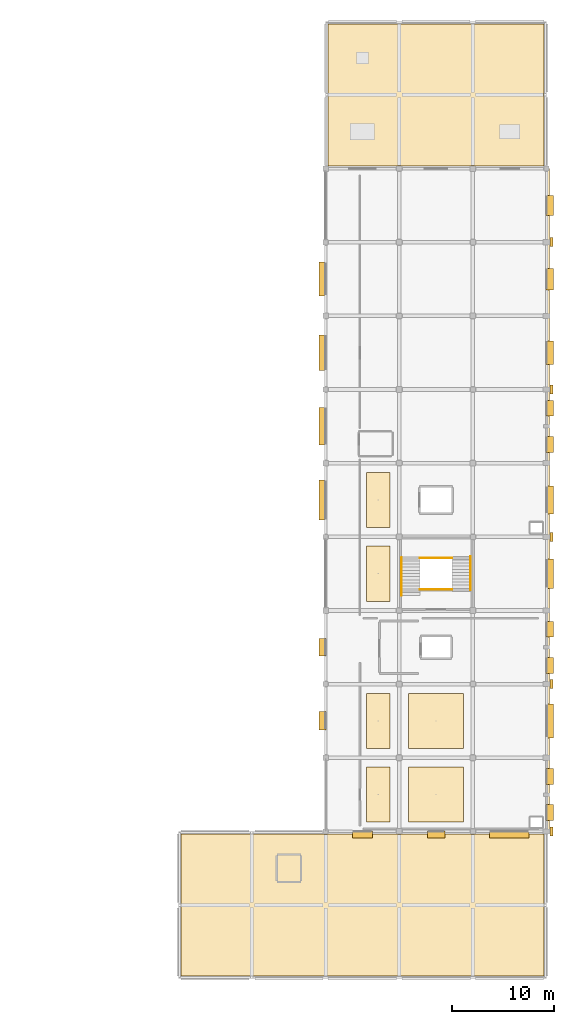
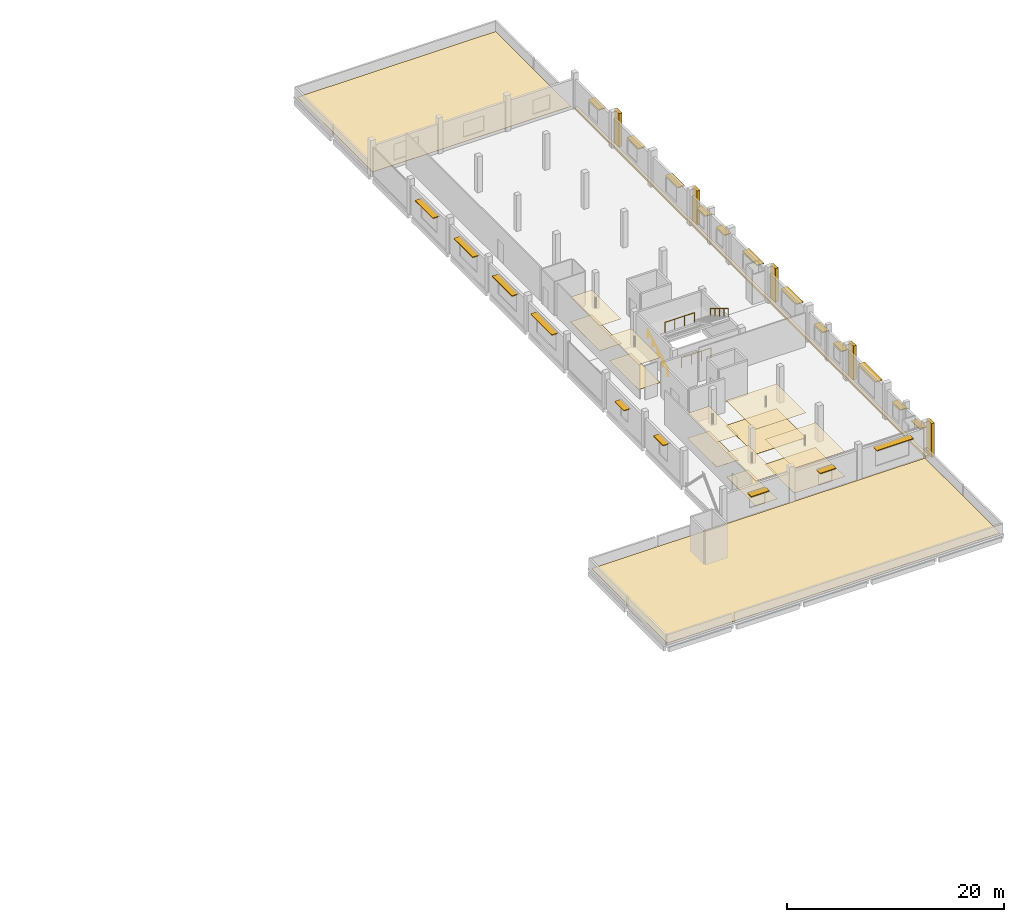
# One storey, part 26 of 26: 21 shading devices, 20 coverings, 4 railings.
"""IFC4 building model written with IfcOpenShell, lengths in metres."""

from ifc_helpers import new_model, si_unit, direction, frame, origin, origin_2d, place, context, subcontext, project, spatial, polyline, rectangle, circle, outline, extrude, material, layer, layer_set, type_object, element, save


model = new_model("IFC4")

# Units and contexts
model_context = context("Model", 3, precision=1e-05, world=origin(), true_north=direction((0.0, 1.0)))
body_context = subcontext(model_context, "Body", "Model", "MODEL_VIEW")
ifc_project = project(units=[si_unit("LENGTHUNIT", "METRE"), si_unit("AREAUNIT", "SQUARE_METRE"), si_unit("VOLUMEUNIT", "CUBIC_METRE"), si_unit("PLANEANGLEUNIT", "RADIAN"), si_unit("MASSUNIT", "GRAM", prefix="KILO")], contexts=[model_context])

# Site, building, storey
site_placement = place(None, origin())
site = spatial("IfcSite", under=ifc_project, at=site_placement, CompositionType="ELEMENT")
building_placement = place(site_placement, origin())
building = spatial("IfcBuilding", under=site, at=building_placement, Name="Kangsadwip Square Police Headquarters", CompositionType="ELEMENT")
storey_placement = place(building_placement, frame((0.0, 0.0, 25.64990234375)))
storey = spatial("IfcBuildingStorey", under=building, at=storey_placement, Name="L06", CompositionType="ELEMENT", Elevation=25.64990234375)

# Railings
ifc_material_1 = material(Name="Structural steel IS 2062 E250 (Grade 250, 250 MPa)", Category="steel")
railing_type_1 = type_object("IfcRailingType", Name="BalustradeGuard1100", PredefinedType="BALUSTRADE", material=ifc_material_1)
for number, where, name in (
    (1, (153.22998046875, 59.639892578125, 0.0), "Stair Guard ST-03 L06-98"),
    (2, (153.22998046875, 62.719970703125, 2.106201171875), "Stair Guard ST-03 L06-99"),
):
    element("IfcRailing", number, at=place(storey_placement, frame(where)), inside=storey, type_object=railing_type_1, Name=name, PredefinedType="BALUSTRADE", context=body_context, shape_type="SweptSolid", body=[
        extrude(circle(Radius=0.02392578125, at=origin_2d()), frame((0.0, 0.0, 1.09619140625), z_axis=(1.0, 0.0, 0.0), x_axis=(0.0, 1.0, 0.0)), (0.0, 0.0, 1.0), 3.14013671875),
        extrude(circle(Radius=0.02099609375, at=origin_2d()), origin(), (0.0, 0.0, 1.0), 1.072021484375),
        extrude(circle(Radius=0.02099609375, at=origin_2d()), frame((1.046630859375, 0.0, 0.0)), (0.0, 0.0, 1.0), 1.072021484375),
        extrude(circle(Radius=0.02099609375, at=origin_2d()), frame((2.093505859375, 0.0, 0.0)), (0.0, 0.0, 1.0), 1.072021484375),
        extrude(circle(Radius=0.02099609375, at=origin_2d()), frame((3.14013671875, 0.0, 0.0)), (0.0, 0.0, 1.0), 1.072021484375),
    ])

# Coverings
ifc_material_2 = material(Name="High-albedo elastomeric SRI-104 insulated roof membrane", Category="roofing")
ifc_layer_1 = layer(ifc_material_2, 0.0400390625)
ifc_layer_set_1 = layer_set([ifc_layer_1], Name="High-albedo elastomeric SRI-104 insulated roof membrane")
covering_type_1 = type_object("IfcCoveringType", Name="HighAlbedoRoofMembrane", PredefinedType="ROOFING", material=ifc_layer_set_1)
covering_1_placement = place(storey_placement, origin())
element("IfcCovering", 3, at=covering_1_placement, inside=storey, type_object=covering_type_1, Name="Cool Roof Membrane RF-L06-V7", PredefinedType="ROOFING", context=body_context, shape_type="SweptSolid", body=[
    extrude(outline(polyline([(129.85009765625, 21.85009765625), (165.35009765625, 21.85009765625), (165.35009765625, 35.75), (129.85009765625, 35.75), (129.85009765625, 21.85009765625)])), origin(), (0.0, 0.0, 1.0), 0.0400390625),
])
covering_2_placement = place(storey_placement, origin())
element("IfcCovering", 4, at=covering_2_placement, inside=storey, type_object=covering_type_1, Name="Cool Roof Membrane RF-L06-V6N", PredefinedType="ROOFING", context=body_context, shape_type="SweptSolid", body=[
    extrude(outline(polyline([(144.25, 101.050048828125), (165.35009765625, 101.050048828125), (165.35009765625, 114.949951171875), (144.25, 114.949951171875), (144.25, 101.050048828125)])), origin(), (0.0, 0.0, 1.0), 0.0400390625),
])
ifc_material_3 = material(Name="Seamless anti-static epoxy and polished Kota stone interior flooring", Category="masonry")
ifc_layer_2 = layer(ifc_material_3, 0.02001953125)
ifc_layer_set_2 = layer_set([ifc_layer_2], Name="Seamless anti-static epoxy and polished Kota stone interior flooring")
covering_type_2 = type_object("IfcCoveringType", Name="InteriorStoneEpoxyFloor", PredefinedType="FLOORING", material=ifc_layer_set_2)
covering_3_placement = place(storey_placement, origin())
element("IfcCovering", 5, at=covering_3_placement, inside=storey, type_object=covering_type_2, Name="Interior Floor Finish L06-181", PredefinedType="FLOORING", context=body_context, shape_type="SweptSolid", body=[
    extrude(outline(polyline([(148.0, 36.89990234375), (150.300048828125, 36.89990234375), (150.300048828125, 42.300048828125), (148.0, 42.300048828125), (148.0, 36.89990234375)])), origin(), (0.0, 0.0, 1.0), 0.02001953125),
])
covering_4_placement = place(storey_placement, origin())
element("IfcCovering", 6, at=covering_4_placement, inside=storey, type_object=covering_type_2, Name="Interior Floor Finish L06-182", PredefinedType="FLOORING", context=body_context, shape_type="SweptSolid", body=[
    extrude(outline(polyline([(152.10009765625, 36.89990234375), (157.5, 36.89990234375), (157.5, 42.300048828125), (152.10009765625, 42.300048828125), (152.10009765625, 36.89990234375)])), origin(), (0.0, 0.0, 1.0), 0.02001953125),
])
covering_5_placement = place(storey_placement, origin())
element("IfcCovering", 7, at=covering_5_placement, inside=storey, type_object=covering_type_2, Name="Interior Floor Finish L06-183", PredefinedType="FLOORING", context=body_context, shape_type="SweptSolid", body=[
    extrude(outline(polyline([(148.0, 44.10009765625), (150.300048828125, 44.10009765625), (150.300048828125, 49.5), (148.0, 49.5), (148.0, 44.10009765625)])), origin(), (0.0, 0.0, 1.0), 0.02001953125),
])
covering_6_placement = place(storey_placement, origin())
element("IfcCovering", 8, at=covering_6_placement, inside=storey, type_object=covering_type_2, Name="Interior Floor Finish L06-184", PredefinedType="FLOORING", context=body_context, shape_type="SweptSolid", body=[
    extrude(outline(polyline([(152.10009765625, 44.10009765625), (157.5, 44.10009765625), (157.5, 49.5), (152.10009765625, 49.5), (152.10009765625, 44.10009765625)])), origin(), (0.0, 0.0, 1.0), 0.02001953125),
])
covering_7_placement = place(storey_placement, origin())
element("IfcCovering", 9, at=covering_7_placement, inside=storey, type_object=covering_type_2, Name="Interior Floor Finish L06-185", PredefinedType="FLOORING", context=body_context, shape_type="SweptSolid", body=[
    extrude(outline(polyline([(148.0, 58.5), (150.300048828125, 58.5), (150.300048828125, 63.89990234375), (148.0, 63.89990234375), (148.0, 58.5)])), origin(), (0.0, 0.0, 1.0), 0.02001953125),
])
covering_8_placement = place(storey_placement, origin())
element("IfcCovering", 10, at=covering_8_placement, inside=storey, type_object=covering_type_2, Name="Interior Floor Finish L06-186", PredefinedType="FLOORING", context=body_context, shape_type="SweptSolid", body=[
    extrude(outline(polyline([(148.0, 65.699951171875), (150.300048828125, 65.699951171875), (150.300048828125, 71.10009765625), (148.0, 71.10009765625), (148.0, 65.699951171875)])), origin(), (0.0, 0.0, 1.0), 0.02001953125),
])

# Railings
ifc_material_4 = material(Name="Structural steel IS 2062 E250 (Grade 250, 250 MPa)", Category="steel")
railing_type_2 = type_object("IfcRailingType", Name="StairPitchHandrail900", PredefinedType="HANDRAIL", material=ifc_material_4)
railing_1_placement = place(storey_placement, frame((151.43994140625, 59.0400390625, 0.0)))
element("IfcRailing", 11, at=railing_1_placement, inside=storey, type_object=railing_type_2, Name="Stair Handrail ST-03 L06-100", PredefinedType="HANDRAIL", context=body_context, shape_type="SweptSolid", body=[
    extrude(circle(Radius=0.02392578125, at=origin_2d()), frame((0.0, 0.0, 0.8759765625), z_axis=(0.0, 0.870200954866, 0.492696963813), x_axis=(-1.0, 0.0, 0.0)), (0.0, 0.0, 1.0), 4.27490234375),
    extrude(circle(Radius=0.02099609375, at=origin_2d()), origin(), (0.0, 0.0, 1.0), 0.851806640625),
    extrude(circle(Radius=0.02099609375, at=origin_2d()), frame((0.0, 0.929931640625, 0.526611328125)), (0.0, 0.0, 1.0), 0.851806640625),
    extrude(circle(Radius=0.02099609375, at=origin_2d()), frame((0.0, 1.85986328125, 1.05322265625)), (0.0, 0.0, 1.0), 0.851806640625),
    extrude(circle(Radius=0.02099609375, at=origin_2d()), frame((0.0, 2.7900390625, 1.57958984375)), (0.0, 0.0, 1.0), 0.851806640625),
    extrude(circle(Radius=0.02099609375, at=origin_2d()), frame((0.0, 3.719970703125, 2.106201171875)), (0.0, 0.0, 1.0), 0.851806640625),
])
railing_2_placement = place(storey_placement, frame((158.159912109375, 62.860107421875, 2.106201171875)))
element("IfcRailing", 12, at=railing_2_placement, inside=storey, type_object=railing_type_2, Name="Stair Handrail ST-03 L06-101", PredefinedType="HANDRAIL", context=body_context, shape_type="SweptSolid", body=[
    extrude(circle(Radius=0.02392578125, at=origin_2d()), frame((0.0, 0.0, 0.8759765625), z_axis=(0.0, -0.860276971572, 0.509826962981), x_axis=(1.0, 0.0, 0.0)), (0.0, 0.0, 1.0), 3.812744140625),
    extrude(circle(Radius=0.02099609375, at=origin_2d()), origin(), (0.0, 0.0, 1.0), 0.851806640625),
    extrude(circle(Radius=0.02099609375, at=origin_2d()), frame((0.0, -0.820068359375, 0.48583984375)), (0.0, 0.0, 1.0), 0.851806640625),
    extrude(circle(Radius=0.02099609375, at=origin_2d()), frame((0.0, -1.64013671875, 0.971923828125)), (0.0, 0.0, 1.0), 0.851806640625),
    extrude(circle(Radius=0.02099609375, at=origin_2d()), frame((0.0, -2.4599609375, 1.4580078125)), (0.0, 0.0, 1.0), 0.851806640625),
    extrude(circle(Radius=0.02099609375, at=origin_2d()), frame((0.0, -3.280029296875, 1.94384765625)), (0.0, 0.0, 1.0), 0.851806640625),
])

# Coverings
ifc_material_5 = material(Name="Perforated mineral-fibre and acoustic baffle suspended ceiling", Category="wood")
ifc_layer_3 = layer(ifc_material_5, 0.02490234375)
ifc_layer_set_3 = layer_set([ifc_layer_3], Name="Perforated mineral-fibre and acoustic baffle suspended ceiling")
covering_type_3 = type_object("IfcCoveringType", Name="SuspendedAcousticCeiling", PredefinedType="CEILING", material=ifc_layer_set_3)
covering_9_placement = place(storey_placement, frame((0.0, 0.0, 2.800048828125)))
element("IfcCovering", 13, at=covering_9_placement, inside=storey, type_object=covering_type_3, Name="Suspended Acoustic Ceiling L06-181", PredefinedType="CEILING", context=body_context, shape_type="SweptSolid", body=[
    extrude(outline(polyline([(148.0, 36.89990234375), (150.300048828125, 36.89990234375), (150.300048828125, 42.300048828125), (148.0, 42.300048828125), (148.0, 36.89990234375)])), origin(), (0.0, 0.0, 1.0), 0.025146484375),
])
covering_10_placement = place(storey_placement, frame((0.0, 0.0, 2.800048828125)))
element("IfcCovering", 14, at=covering_10_placement, inside=storey, type_object=covering_type_3, Name="Suspended Acoustic Ceiling L06-182", PredefinedType="CEILING", context=body_context, shape_type="SweptSolid", body=[
    extrude(outline(polyline([(152.10009765625, 36.89990234375), (157.5, 36.89990234375), (157.5, 42.300048828125), (152.10009765625, 42.300048828125), (152.10009765625, 36.89990234375)])), origin(), (0.0, 0.0, 1.0), 0.025146484375),
])
covering_11_placement = place(storey_placement, frame((0.0, 0.0, 2.800048828125)))
element("IfcCovering", 15, at=covering_11_placement, inside=storey, type_object=covering_type_3, Name="Suspended Acoustic Ceiling L06-183", PredefinedType="CEILING", context=body_context, shape_type="SweptSolid", body=[
    extrude(outline(polyline([(148.0, 44.10009765625), (150.300048828125, 44.10009765625), (150.300048828125, 49.5), (148.0, 49.5), (148.0, 44.10009765625)])), origin(), (0.0, 0.0, 1.0), 0.025146484375),
])
covering_12_placement = place(storey_placement, frame((0.0, 0.0, 2.800048828125)))
element("IfcCovering", 16, at=covering_12_placement, inside=storey, type_object=covering_type_3, Name="Suspended Acoustic Ceiling L06-184", PredefinedType="CEILING", context=body_context, shape_type="SweptSolid", body=[
    extrude(outline(polyline([(152.10009765625, 44.10009765625), (157.5, 44.10009765625), (157.5, 49.5), (152.10009765625, 49.5), (152.10009765625, 44.10009765625)])), origin(), (0.0, 0.0, 1.0), 0.025146484375),
])
covering_13_placement = place(storey_placement, frame((0.0, 0.0, 2.800048828125)))
element("IfcCovering", 17, at=covering_13_placement, inside=storey, type_object=covering_type_3, Name="Suspended Acoustic Ceiling L06-185", PredefinedType="CEILING", context=body_context, shape_type="SweptSolid", body=[
    extrude(outline(polyline([(148.0, 58.5), (150.300048828125, 58.5), (150.300048828125, 63.89990234375), (148.0, 63.89990234375), (148.0, 58.5)])), origin(), (0.0, 0.0, 1.0), 0.025146484375),
])
covering_14_placement = place(storey_placement, frame((0.0, 0.0, 2.800048828125)))
element("IfcCovering", 18, at=covering_14_placement, inside=storey, type_object=covering_type_3, Name="Suspended Acoustic Ceiling L06-186", PredefinedType="CEILING", context=body_context, shape_type="SweptSolid", body=[
    extrude(outline(polyline([(148.0, 65.699951171875), (150.300048828125, 65.699951171875), (150.300048828125, 71.10009765625), (148.0, 71.10009765625), (148.0, 65.699951171875)])), origin(), (0.0, 0.0, 1.0), 0.025146484375),
])
ifc_material_6 = material(Name="Glazed architectural terracotta masonry rainscreen", Category="masonry")
ifc_layer_4 = layer(ifc_material_6, 0.034912109375)
ifc_layer_set_4 = layer_set([ifc_layer_4], Name="Glazed architectural terracotta masonry rainscreen")
covering_type_4 = type_object("IfcCoveringType", Name="TerracottaPierCladding", PredefinedType="CLADDING", material=ifc_layer_set_4)
covering_15_placement = place(storey_placement, origin())
element("IfcCovering", 19, at=covering_15_placement, inside=storey, type_object=covering_type_4, Name="Terracotta Pier Cladding L06-145", PredefinedType="CLADDING", context=body_context, shape_type="SweptSolid", body=[
    extrude(outline(polyline([(165.929931640625, 35.56005859375), (166.25, 35.56005859375), (166.25, 36.43994140625), (165.929931640625, 36.43994140625), (165.929931640625, 35.56005859375)])), origin(), (0.0, 0.0, 1.0), 3.800048828125),
])
covering_16_placement = place(storey_placement, origin())
element("IfcCovering", 20, at=covering_16_placement, inside=storey, type_object=covering_type_4, Name="Terracotta Pier Cladding L06-146", PredefinedType="CLADDING", context=body_context, shape_type="SweptSolid", body=[
    extrude(outline(polyline([(165.929931640625, 49.9599609375), (166.25, 49.9599609375), (166.25, 50.840087890625), (165.929931640625, 50.840087890625), (165.929931640625, 49.9599609375)])), origin(), (0.0, 0.0, 1.0), 3.800048828125),
])
covering_17_placement = place(storey_placement, origin())
element("IfcCovering", 21, at=covering_17_placement, inside=storey, type_object=covering_type_4, Name="Terracotta Pier Cladding L06-147", PredefinedType="CLADDING", context=body_context, shape_type="SweptSolid", body=[
    extrude(outline(polyline([(165.929931640625, 64.360107421875), (166.25, 64.360107421875), (166.25, 65.239990234375), (165.929931640625, 65.239990234375), (165.929931640625, 64.360107421875)])), origin(), (0.0, 0.0, 1.0), 3.800048828125),
])
covering_18_placement = place(storey_placement, origin())
element("IfcCovering", 22, at=covering_18_placement, inside=storey, type_object=covering_type_4, Name="Terracotta Pier Cladding L06-148", PredefinedType="CLADDING", context=body_context, shape_type="SweptSolid", body=[
    extrude(outline(polyline([(165.929931640625, 78.760009765625), (166.25, 78.760009765625), (166.25, 79.639892578125), (165.929931640625, 79.639892578125), (165.929931640625, 78.760009765625)])), origin(), (0.0, 0.0, 1.0), 3.800048828125),
])
covering_19_placement = place(storey_placement, origin())
element("IfcCovering", 23, at=covering_19_placement, inside=storey, type_object=covering_type_4, Name="Terracotta Pier Cladding L06-149", PredefinedType="CLADDING", context=body_context, shape_type="SweptSolid", body=[
    extrude(outline(polyline([(165.929931640625, 93.159912109375), (166.25, 93.159912109375), (166.25, 94.0400390625), (165.929931640625, 94.0400390625), (165.929931640625, 93.159912109375)])), origin(), (0.0, 0.0, 1.0), 3.800048828125),
])
covering_20_placement = place(storey_placement, frame((0.0, 0.0, -0.219970703125)))
element("IfcCovering", 24, at=covering_20_placement, inside=storey, type_object=covering_type_4, Name="Terracotta Cornice Belt L06-159", PredefinedType="CLADDING", context=body_context, shape_type="SweptSolid", body=[
    extrude(outline(polyline([(165.580078125, 36.0), (165.89990234375, 36.0), (165.89990234375, 100.800048828125), (165.580078125, 100.800048828125), (165.580078125, 36.0)])), origin(), (0.0, 0.0, 1.0), 0.239990234375),
])

# Shading devices
ifc_material_7 = material(Name="Architectural terracotta and anodised aluminium AW-6061-T6", Category="aluminium")
shading_device_type = type_object("IfcShadingDeviceType", Name="TerracottaChhajjaAwning", PredefinedType="AWNING", material=ifc_material_7)
shading_device_1_placement = place(storey_placement, frame((147.58740234375, 35.699951171875, 2.4150390625), z_axis=(0.0, 0.0, 1.0), x_axis=(1.0, 0.0, 0.0)))
element("IfcShadingDevice", 25, at=shading_device_1_placement, inside=storey, type_object=shading_device_type, Name="Terracotta Chhajja Hood CHJ-L06-0309", PredefinedType="AWNING", context=body_context, shape_type="SweptSolid", body=[
    extrude(rectangle(XDim=1.949951171875, YDim=0.719970703125, at=origin_2d()), origin(), (0.0, 0.0, 1.0), 0.090087890625),
])
shading_device_2_placement = place(storey_placement, frame((154.8125, 35.699951171875, 2.46484375), z_axis=(0.0, 0.0, 1.0), x_axis=(1.0, 0.0, 0.0)))
element("IfcShadingDevice", 26, at=shading_device_2_placement, inside=storey, type_object=shading_device_type, Name="Terracotta Chhajja Hood CHJ-L06-0310", PredefinedType="AWNING", context=body_context, shape_type="SweptSolid", body=[
    extrude(rectangle(XDim=1.699951171875, YDim=0.719970703125, at=origin_2d()), origin(), (0.0, 0.0, 1.0), 0.090087890625),
])
shading_device_3_placement = place(storey_placement, frame((161.949951171875, 35.699951171875, 2.9150390625), z_axis=(0.0, 0.0, 1.0), x_axis=(1.0, 0.0, 0.0)))
element("IfcShadingDevice", 27, at=shading_device_3_placement, inside=storey, type_object=shading_device_type, Name="Terracotta Chhajja Hood CHJ-L06-0311", PredefinedType="AWNING", context=body_context, shape_type="SweptSolid", body=[
    extrude(rectangle(XDim=3.89990234375, YDim=0.719970703125, at=origin_2d()), origin(), (0.0, 0.0, 1.0), 0.090087890625),
])
shading_device_4_placement = place(storey_placement, frame((143.699951171875, 46.8125, 2.9150390625), z_axis=(0.0, 0.0, 1.0), x_axis=(0.0, 1.0, 0.0)))
element("IfcShadingDevice", 28, at=shading_device_4_placement, inside=storey, type_object=shading_device_type, Name="Terracotta Chhajja Hood CHJ-L06-0329", PredefinedType="AWNING", context=body_context, shape_type="SweptSolid", body=[
    extrude(rectangle(XDim=1.800048828125, YDim=0.719970703125, at=origin_2d()), origin(), (0.0, 0.0, 1.0), 0.090087890625),
])
shading_device_5_placement = place(storey_placement, frame((143.699951171875, 53.987548828125, 2.46484375), z_axis=(0.0, 0.0, 1.0), x_axis=(0.0, 1.0, 0.0)))
element("IfcShadingDevice", 29, at=shading_device_5_placement, inside=storey, type_object=shading_device_type, Name="Terracotta Chhajja Hood CHJ-L06-0330", PredefinedType="AWNING", context=body_context, shape_type="SweptSolid", body=[
    extrude(rectangle(XDim=1.699951171875, YDim=0.719970703125, at=origin_2d()), origin(), (0.0, 0.0, 1.0), 0.090087890625),
])
shading_device_6_placement = place(storey_placement, frame((143.699951171875, 68.387451171875, 2.9150390625), z_axis=(0.0, 0.0, 1.0), x_axis=(0.0, 1.0, 0.0)))
element("IfcShadingDevice", 30, at=shading_device_6_placement, inside=storey, type_object=shading_device_type, Name="Terracotta Chhajja Hood CHJ-L06-0331", PredefinedType="AWNING", context=body_context, shape_type="SweptSolid", body=[
    extrude(rectangle(XDim=3.89990234375, YDim=0.719970703125, at=origin_2d()), origin(), (0.0, 0.0, 1.0), 0.090087890625),
])
shading_device_7_placement = place(storey_placement, frame((143.699951171875, 75.612548828125, 2.865234375), z_axis=(0.0, 0.0, 1.0), x_axis=(0.0, 1.0, 0.0)))
element("IfcShadingDevice", 31, at=shading_device_7_placement, inside=storey, type_object=shading_device_type, Name="Terracotta Chhajja Hood CHJ-L06-0332", PredefinedType="AWNING", context=body_context, shape_type="SweptSolid", body=[
    extrude(rectangle(XDim=3.699951171875, YDim=0.719970703125, at=origin_2d()), origin(), (0.0, 0.0, 1.0), 0.090087890625),
])
shading_device_8_placement = place(storey_placement, frame((143.699951171875, 82.78759765625, 2.81494140625), z_axis=(0.0, 0.0, 1.0), x_axis=(0.0, 1.0, 0.0)))
element("IfcShadingDevice", 32, at=shading_device_8_placement, inside=storey, type_object=shading_device_type, Name="Terracotta Chhajja Hood CHJ-L06-0333", PredefinedType="AWNING", context=body_context, shape_type="SweptSolid", body=[
    extrude(rectangle(XDim=3.5, YDim=0.719970703125, at=origin_2d()), origin(), (0.0, 0.0, 1.0), 0.090087890625),
])
shading_device_9_placement = place(storey_placement, frame((143.699951171875, 90.012451171875, 2.76513671875), z_axis=(0.0, 0.0, 1.0), x_axis=(0.0, 1.0, 0.0)))
element("IfcShadingDevice", 33, at=shading_device_9_placement, inside=storey, type_object=shading_device_type, Name="Terracotta Chhajja Hood CHJ-L06-0334", PredefinedType="AWNING", context=body_context, shape_type="SweptSolid", body=[
    extrude(rectangle(XDim=3.300048828125, YDim=0.719970703125, at=origin_2d()), origin(), (0.0, 0.0, 1.0), 0.090087890625),
])
for number, where, z_axis, x_axis, name in (
    (34, (165.89990234375, 37.83740234375, 2.365234375), (0.0, 0.0, 1.0), (0.0, 1.0, 0.0), "Terracotta Chhajja Hood CHJ-L06-0335"),
    (35, (165.89990234375, 41.362548828125, 2.365234375), (0.0, 0.0, 1.0), (0.0, 1.0, 0.0), "Terracotta Chhajja Hood CHJ-L06-0336"),
):
    element("IfcShadingDevice", number, at=place(storey_placement, frame(where, z_axis=z_axis, x_axis=x_axis)), inside=storey, type_object=shading_device_type, Name=name, PredefinedType="AWNING", context=body_context, shape_type="SweptSolid", body=[
        extrude(rectangle(XDim=1.550048828125, YDim=0.719970703125, at=origin_2d()), origin(), (0.0, 0.0, 1.0), 0.090087890625),
    ])
shading_device_10_placement = place(storey_placement, frame((165.89990234375, 46.800048828125, 2.76513671875), z_axis=(0.0, 0.0, 1.0), x_axis=(0.0, 1.0, 0.0)))
element("IfcShadingDevice", 36, at=shading_device_10_placement, inside=storey, type_object=shading_device_type, Name="Terracotta Chhajja Hood CHJ-L06-0337", PredefinedType="AWNING", context=body_context, shape_type="SweptSolid", body=[
    extrude(rectangle(XDim=3.300048828125, YDim=0.719970703125, at=origin_2d()), origin(), (0.0, 0.0, 1.0), 0.090087890625),
])
for number, where, z_axis, x_axis, name in (
    (37, (165.89990234375, 52.237548828125, 2.365234375), (0.0, 0.0, 1.0), (0.0, 1.0, 0.0), "Terracotta Chhajja Hood CHJ-L06-0338"),
    (38, (165.89990234375, 55.762451171875, 2.365234375), (0.0, 0.0, 1.0), (0.0, 1.0, 0.0), "Terracotta Chhajja Hood CHJ-L06-0339"),
):
    element("IfcShadingDevice", number, at=place(storey_placement, frame(where, z_axis=z_axis, x_axis=x_axis)), inside=storey, type_object=shading_device_type, Name=name, PredefinedType="AWNING", context=body_context, shape_type="SweptSolid", body=[
        extrude(rectangle(XDim=1.550048828125, YDim=0.719970703125, at=origin_2d()), origin(), (0.0, 0.0, 1.0), 0.090087890625),
    ])
shading_device_11_placement = place(storey_placement, frame((165.89990234375, 61.199951171875, 2.6650390625), z_axis=(0.0, 0.0, 1.0), x_axis=(0.0, 1.0, 0.0)))
element("IfcShadingDevice", 39, at=shading_device_11_placement, inside=storey, type_object=shading_device_type, Name="Terracotta Chhajja Hood CHJ-L06-0340", PredefinedType="AWNING", context=body_context, shape_type="SweptSolid", body=[
    extrude(rectangle(XDim=2.89990234375, YDim=0.719970703125, at=origin_2d()), origin(), (0.0, 0.0, 1.0), 0.090087890625),
])
shading_device_12_placement = place(storey_placement, frame((165.89990234375, 68.39990234375, 2.615234375), z_axis=(0.0, 0.0, 1.0), x_axis=(0.0, 1.0, 0.0)))
element("IfcShadingDevice", 40, at=shading_device_12_placement, inside=storey, type_object=shading_device_type, Name="Terracotta Chhajja Hood CHJ-L06-0341", PredefinedType="AWNING", context=body_context, shape_type="SweptSolid", body=[
    extrude(rectangle(XDim=2.699951171875, YDim=0.719970703125, at=origin_2d()), origin(), (0.0, 0.0, 1.0), 0.090087890625),
])
for number, where, z_axis, x_axis, name in (
    (41, (165.89990234375, 73.83740234375, 2.365234375), (0.0, 0.0, 1.0), (0.0, 1.0, 0.0), "Terracotta Chhajja Hood CHJ-L06-0342"),
    (42, (165.89990234375, 77.362548828125, 2.365234375), (0.0, 0.0, 1.0), (0.0, 1.0, 0.0), "Terracotta Chhajja Hood CHJ-L06-0343"),
):
    element("IfcShadingDevice", number, at=place(storey_placement, frame(where, z_axis=z_axis, x_axis=x_axis)), inside=storey, type_object=shading_device_type, Name=name, PredefinedType="AWNING", context=body_context, shape_type="SweptSolid", body=[
        extrude(rectangle(XDim=1.550048828125, YDim=0.719970703125, at=origin_2d()), origin(), (0.0, 0.0, 1.0), 0.090087890625),
    ])
shading_device_13_placement = place(storey_placement, frame((165.89990234375, 82.800048828125, 2.51513671875), z_axis=(0.0, 0.0, 1.0), x_axis=(0.0, 1.0, 0.0)))
element("IfcShadingDevice", 43, at=shading_device_13_placement, inside=storey, type_object=shading_device_type, Name="Terracotta Chhajja Hood CHJ-L06-0344", PredefinedType="AWNING", context=body_context, shape_type="SweptSolid", body=[
    extrude(rectangle(XDim=2.300048828125, YDim=0.719970703125, at=origin_2d()), origin(), (0.0, 0.0, 1.0), 0.090087890625),
])
shading_device_14_placement = place(storey_placement, frame((165.89990234375, 90.0, 2.46484375), z_axis=(0.0, 0.0, 1.0), x_axis=(0.0, 1.0, 0.0)))
element("IfcShadingDevice", 44, at=shading_device_14_placement, inside=storey, type_object=shading_device_type, Name="Terracotta Chhajja Hood CHJ-L06-0345", PredefinedType="AWNING", context=body_context, shape_type="SweptSolid", body=[
    extrude(rectangle(XDim=2.10009765625, YDim=0.719970703125, at=origin_2d()), origin(), (0.0, 0.0, 1.0), 0.090087890625),
])
shading_device_15_placement = place(storey_placement, frame((165.89990234375, 97.199951171875, 2.4150390625), z_axis=(0.0, 0.0, 1.0), x_axis=(0.0, 1.0, 0.0)))
element("IfcShadingDevice", 45, at=shading_device_15_placement, inside=storey, type_object=shading_device_type, Name="Terracotta Chhajja Hood CHJ-L06-0346", PredefinedType="AWNING", context=body_context, shape_type="SweptSolid", body=[
    extrude(rectangle(XDim=1.949951171875, YDim=0.719970703125, at=origin_2d()), origin(), (0.0, 0.0, 1.0), 0.090087890625),
])

save(model, "model.ifc")
